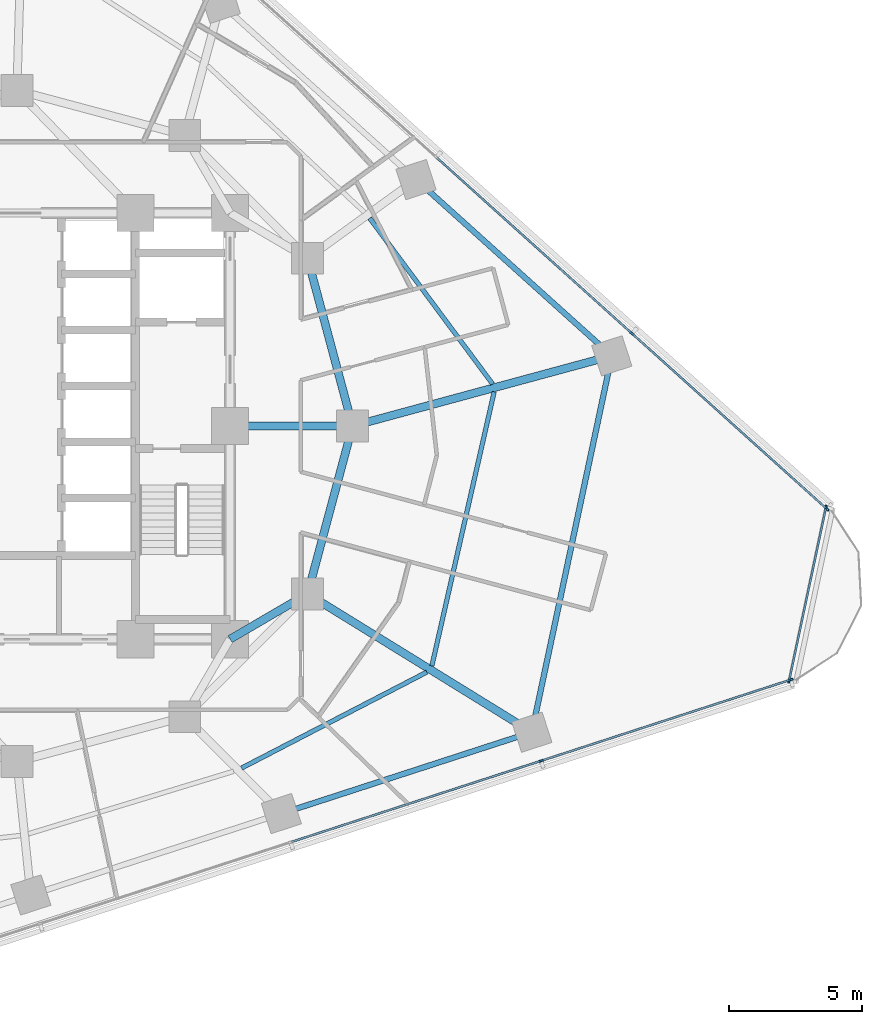
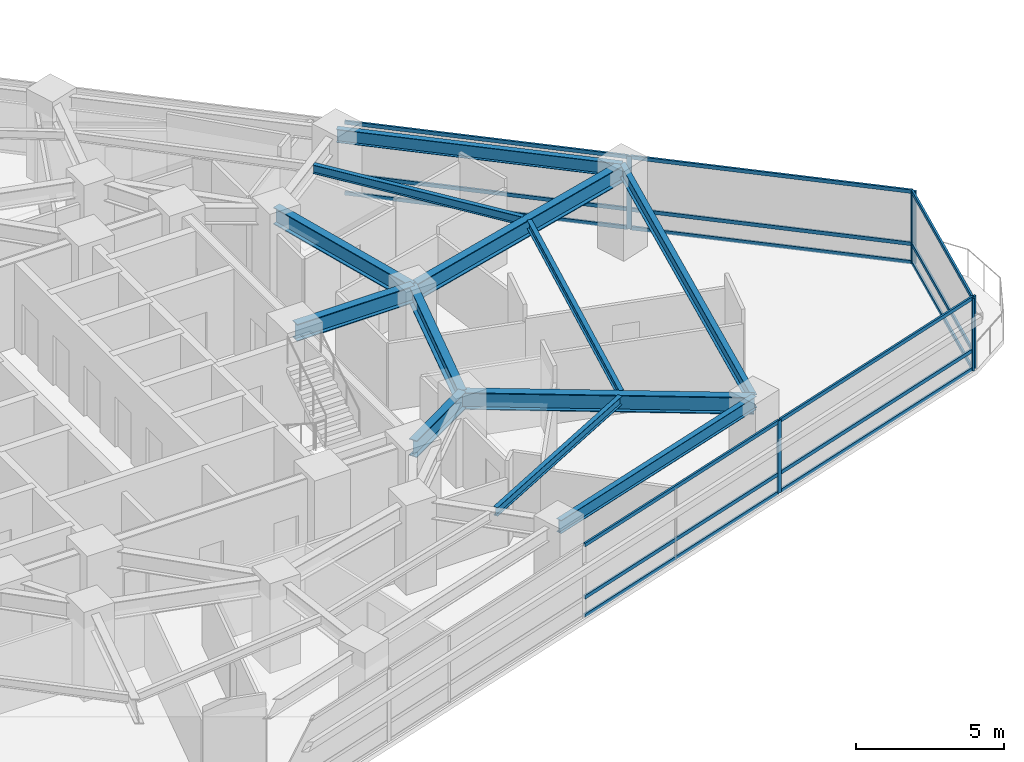
# One storey, part 4 of 13: 21 members, 12 beams, 3 elements without a shape of their own.
"""IFC4 building model written with IfcOpenShell, lengths in metres."""

from ifc_helpers import new_model, si_unit, direction, frame, origin, origin_2d, place, context, subcontext, project, spatial, rectangle, i_section, extrude, material, layer, layer_set, material_profile, profile_set, type_object, element, aggregate, save


model = new_model("IFC4")

# Units and contexts
model_context = context("Model", 3, precision=1e-05, world=origin(), true_north=direction((0.0, 1.0)))
body_context = subcontext(model_context, "Body", "Model", "MODEL_VIEW")
ifc_project = project(units=[si_unit("LENGTHUNIT", "METRE"), si_unit("AREAUNIT", "SQUARE_METRE"), si_unit("VOLUMEUNIT", "CUBIC_METRE"), si_unit("PLANEANGLEUNIT", "RADIAN"), si_unit("MASSUNIT", "GRAM", prefix="KILO")], contexts=[model_context])

# Site, building, storey
site_placement = place(None, origin())
site = spatial("IfcSite", under=ifc_project, at=site_placement, CompositionType="ELEMENT")
building_placement = place(site_placement, origin())
building = spatial("IfcBuilding", under=site, at=building_placement, Name="Terralouvre Media Tower", CompositionType="ELEMENT")
storey_placement = place(building_placement, frame((0.0, 0.0, 108.800048828125)))
storey = spatial("IfcBuildingStorey", under=building, at=storey_placement, Name="L27", CompositionType="ELEMENT", Elevation=108.800048828125)

# Beams
ifc_material_1 = material(Name="Structural steel S355J2", Category="steel")
ifc_material_profile_1 = material_profile(ifc_material_1, i_section(OverallWidth=0.169921875, OverallDepth=0.360107421875, WebThickness=0.008056640625, FlangeThickness=0.0126953125, at=origin_2d()), Name="IPE 360")
ifc_profile_set_1 = profile_set([ifc_material_profile_1], Name="Structural steel S355J2")
beam_type_1 = type_object("IfcBeamType", Name="Composite Floor Joist J-IPE360 (IPE 360)", PredefinedType="JOIST", material=ifc_profile_set_1)
beam_1_placement = place(storey_placement, frame((8.431640625, -12.83984375, 3.320068359375), z_axis=(0.88785826519, 0.460117051339, 0.0), x_axis=(-0.460117051339, 0.88785826519, 0.0)))
element("IfcBeam", 1, at=beam_1_placement, inside=storey, type_object=beam_type_1, Name="L27 Framing Beam JT-L27-05", PredefinedType="JOIST", context=body_context, shape_type="SweptSolid", body=[
    extrude(i_section(OverallWidth=0.169921875, OverallDepth=0.360107421875, WebThickness=0.008056640625, FlangeThickness=0.0126953125, at=origin_2d()), origin(), (0.0, 0.0, 1.0), 7.8349609375),
])
beam_2_placement = place(storey_placement, frame((15.576171875, -9.002685546875, 3.320068359375), z_axis=(0.221710109681, 0.975112622862, 0.0), x_axis=(-0.975112622862, 0.221710109681, 0.0)))
element("IfcBeam", 2, at=beam_2_placement, inside=storey, type_object=beam_type_1, Name="L27 Framing Beam JT-L27-06", PredefinedType="JOIST", context=body_context, shape_type="SweptSolid", body=[
    extrude(i_section(OverallWidth=0.169921875, OverallDepth=0.360107421875, WebThickness=0.008056640625, FlangeThickness=0.0126953125, at=origin_2d()), origin(), (0.0, 0.0, 1.0), 10.551513671875),
])
beam_3_placement = place(storey_placement, frame((17.85791015625, 1.57763671875, 3.320068359375), z_axis=(-0.595682426609, 0.803220048697, 0.0), x_axis=(-0.803220048697, -0.595682426609, 0.0)))
element("IfcBeam", 3, at=beam_3_placement, inside=storey, type_object=beam_type_1, Name="L27 Framing Beam JT-L27-07", PredefinedType="JOIST", context=body_context, shape_type="SweptSolid", body=[
    extrude(i_section(OverallWidth=0.169921875, OverallDepth=0.360107421875, WebThickness=0.008056640625, FlangeThickness=0.0126953125, at=origin_2d()), origin(), (0.0, 0.0, 1.0), 7.7509765625),
])

# Curtain wall, members
ifc_material_2 = material(Name="Low-iron laminated double glazing with solar-control coating", Category="glass")
ifc_layer_1 = layer(ifc_material_2, 0.1650390625, Name="Lower Media Tower Unitised Curtain Wall CW-02")
ifc_layer_set_1 = layer_set([ifc_layer_1], Name="Low-iron laminated double glazing with solar-control coating")
curtain_wall_type_1 = type_object("IfcCurtainWallType", Name="Lower Media Tower Unitised Curtain Wall CW-02", PredefinedType="NOTDEFINED", material=ifc_layer_set_1)
curtain_wall_1_placement = place(storey_placement, origin())
curtain_wall_1 = element("IfcCurtainWall", 4, at=curtain_wall_1_placement, inside=storey, type_object=curtain_wall_type_1, Name="L27 Facade Curtain Wall F0", PredefinedType="NOTDEFINED")
ifc_material_3 = material(Name="Anodised extruded aluminium 6063-T6", Category="aluminium")
ifc_material_profile_2 = material_profile(ifc_material_3, rectangle(XDim=0.074951171875, YDim=0.14990234375, at=origin_2d()), Name="ALU 75x150")
ifc_profile_set_2 = profile_set([ifc_material_profile_2], Name="Anodised extruded aluminium 6063-T6")
member_type_1 = type_object("IfcMemberType", Name="Curtain-Wall Horizontal Transom TR-150", PredefinedType="USERDEFINED", material=ifc_profile_set_2)
member_1_placement = place(storey_placement, frame((10.309814453125, -15.610107421875, 0.037353515625), z_axis=(0.951061672682, 0.309001124198, 0.0), x_axis=(-0.309001124198, 0.951061672682, 0.0)))
member_1 = element("IfcMember", 5, at=member_1_placement, type_object=member_type_1, Name="CW-02 transom 4.1", ObjectType="TRANSOM", PredefinedType="USERDEFINED", context=body_context, shape_type="SweptSolid", body=[
    extrude(rectangle(XDim=0.074951171875, YDim=0.14990234375, at=origin_2d()), origin(), (0.0, 0.0, 1.0), 9.81298828125),
])
member_2_placement = place(storey_placement, frame((10.309814453125, -15.610107421875, 0.800048828125), z_axis=(0.951061672682, 0.309001124198, 0.0), x_axis=(-0.309001124198, 0.951061672682, 0.0)))
member_2 = element("IfcMember", 6, at=member_2_placement, type_object=member_type_1, Name="CW-02 transom 4.2", ObjectType="TRANSOM", PredefinedType="USERDEFINED", context=body_context, shape_type="SweptSolid", body=[
    extrude(rectangle(XDim=0.074951171875, YDim=0.14990234375, at=origin_2d()), origin(), (0.0, 0.0, 1.0), 9.81298828125),
])
member_3_placement = place(storey_placement, frame((10.309814453125, -15.610107421875, 2.96240234375), z_axis=(0.951061672682, 0.309001124198, 0.0), x_axis=(-0.309001124198, 0.951061672682, 0.0)))
member_3 = element("IfcMember", 7, at=member_3_placement, type_object=member_type_1, Name="CW-02 transom 4.3", ObjectType="TRANSOM", PredefinedType="USERDEFINED", context=body_context, shape_type="SweptSolid", body=[
    extrude(rectangle(XDim=0.074951171875, YDim=0.14990234375, at=origin_2d()), origin(), (0.0, 0.0, 1.0), 9.81298828125),
])
member_4_placement = place(storey_placement, frame((19.7138671875, -12.5546875, 0.037353515625), z_axis=(0.951058475667, 0.309010963983, 0.0), x_axis=(-0.309010963983, 0.951058475667, 0.0)))
member_4 = element("IfcMember", 8, at=member_4_placement, type_object=member_type_1, Name="CW-02 transom 5.1", ObjectType="TRANSOM", PredefinedType="USERDEFINED", context=body_context, shape_type="SweptSolid", body=[
    extrude(rectangle(XDim=0.074951171875, YDim=0.14990234375, at=origin_2d()), origin(), (0.0, 0.0, 1.0), 9.775634765625),
])
member_5_placement = place(storey_placement, frame((19.7138671875, -12.5546875, 0.800048828125), z_axis=(0.951058475667, 0.309010963983, 0.0), x_axis=(-0.309010963983, 0.951058475667, 0.0)))
member_5 = element("IfcMember", 9, at=member_5_placement, type_object=member_type_1, Name="CW-02 transom 5.2", ObjectType="TRANSOM", PredefinedType="USERDEFINED", context=body_context, shape_type="SweptSolid", body=[
    extrude(rectangle(XDim=0.074951171875, YDim=0.14990234375, at=origin_2d()), origin(), (0.0, 0.0, 1.0), 9.775634765625),
])
member_6_placement = place(storey_placement, frame((19.7138671875, -12.5546875, 2.96240234375), z_axis=(0.951058475667, 0.309010963983, 0.0), x_axis=(-0.309010963983, 0.951058475667, 0.0)))
member_6 = element("IfcMember", 10, at=member_6_placement, type_object=member_type_1, Name="CW-02 transom 5.3", ObjectType="TRANSOM", PredefinedType="USERDEFINED", context=body_context, shape_type="SweptSolid", body=[
    extrude(rectangle(XDim=0.074951171875, YDim=0.14990234375, at=origin_2d()), origin(), (0.0, 0.0, 1.0), 9.775634765625),
])

curtain_wall_2_placement = place(storey_placement, origin())
curtain_wall_2 = element("IfcCurtainWall", 11, at=curtain_wall_2_placement, inside=storey, type_object=curtain_wall_type_1, Name="L27 Facade Curtain Wall F1", PredefinedType="NOTDEFINED")
member_7_placement = place(storey_placement, frame((30.380615234375, -3.09033203125, 0.037353515625), z_axis=(-0.743137656594, 0.669138568125, 0.0), x_axis=(-0.669138568125, -0.743137656594, 0.0)))
member_7 = element("IfcMember", 12, at=member_7_placement, type_object=member_type_1, Name="CW-02 transom 1.1", ObjectType="TRANSOM", PredefinedType="USERDEFINED", context=body_context, shape_type="SweptSolid", body=[
    extrude(rectangle(XDim=0.074951171875, YDim=0.14990234375, at=origin_2d()), origin(), (0.0, 0.0, 1.0), 9.775634765625),
])
member_8_placement = place(storey_placement, frame((30.380615234375, -3.09033203125, 0.800048828125), z_axis=(-0.743137656594, 0.669138568125, 0.0), x_axis=(-0.669138568125, -0.743137656594, 0.0)))
member_8 = element("IfcMember", 13, at=member_8_placement, type_object=member_type_1, Name="CW-02 transom 1.2", ObjectType="TRANSOM", PredefinedType="USERDEFINED", context=body_context, shape_type="SweptSolid", body=[
    extrude(rectangle(XDim=0.074951171875, YDim=0.14990234375, at=origin_2d()), origin(), (0.0, 0.0, 1.0), 9.775634765625),
])
member_9_placement = place(storey_placement, frame((30.380615234375, -3.09033203125, 2.96240234375), z_axis=(-0.743137656594, 0.669138568125, 0.0), x_axis=(-0.669138568125, -0.743137656594, 0.0)))
member_9 = element("IfcMember", 14, at=member_9_placement, type_object=member_type_1, Name="CW-02 transom 1.3", ObjectType="TRANSOM", PredefinedType="USERDEFINED", context=body_context, shape_type="SweptSolid", body=[
    extrude(rectangle(XDim=0.074951171875, YDim=0.14990234375, at=origin_2d()), origin(), (0.0, 0.0, 1.0), 9.775634765625),
])
member_10_placement = place(storey_placement, frame((23.060302734375, 3.5009765625, 0.037353515625), z_axis=(-0.743145676677, 0.669129661005, 0.0), x_axis=(-0.669129661005, -0.743145676677, 0.0)))
member_10 = element("IfcMember", 15, at=member_10_placement, type_object=member_type_1, Name="CW-02 transom 2.1", ObjectType="TRANSOM", PredefinedType="USERDEFINED", context=body_context, shape_type="SweptSolid", body=[
    extrude(rectangle(XDim=0.074951171875, YDim=0.14990234375, at=origin_2d()), origin(), (0.0, 0.0, 1.0), 9.81298828125),
])
member_11_placement = place(storey_placement, frame((23.060302734375, 3.5009765625, 0.800048828125), z_axis=(-0.743145676677, 0.669129661005, 0.0), x_axis=(-0.669129661005, -0.743145676677, 0.0)))
member_11 = element("IfcMember", 16, at=member_11_placement, type_object=member_type_1, Name="CW-02 transom 2.2", ObjectType="TRANSOM", PredefinedType="USERDEFINED", context=body_context, shape_type="SweptSolid", body=[
    extrude(rectangle(XDim=0.074951171875, YDim=0.14990234375, at=origin_2d()), origin(), (0.0, 0.0, 1.0), 9.81298828125),
])
member_12_placement = place(storey_placement, frame((23.060302734375, 3.5009765625, 2.96240234375), z_axis=(-0.743145676677, 0.669129661005, 0.0), x_axis=(-0.669129661005, -0.743145676677, 0.0)))
member_12 = element("IfcMember", 17, at=member_12_placement, type_object=member_type_1, Name="CW-02 transom 2.3", ObjectType="TRANSOM", PredefinedType="USERDEFINED", context=body_context, shape_type="SweptSolid", body=[
    extrude(rectangle(XDim=0.074951171875, YDim=0.14990234375, at=origin_2d()), origin(), (0.0, 0.0, 1.0), 9.81298828125),
])

ifc_material_4 = material(Name="Low-iron laminated double glazing with solar-control coating", Category="glass")
ifc_layer_2 = layer(ifc_material_4, 0.1650390625, Name="Rounded Wind-Corner Curved Glazing CW-04")
ifc_layer_set_2 = layer_set([ifc_layer_2], Name="Low-iron laminated double glazing with solar-control coating")
curtain_wall_type_2 = type_object("IfcCurtainWallType", Name="Rounded Wind-Corner Curved Glazing CW-04", PredefinedType="NOTDEFINED", material=ifc_layer_set_2)
curtain_wall_3_placement = place(storey_placement, origin())
curtain_wall_3 = element("IfcCurtainWall", 18, at=curtain_wall_3_placement, inside=storey, type_object=curtain_wall_type_2, Name="L27 Rounded Wind-Corner Curtain Wall C1", PredefinedType="NOTDEFINED")
member_13_placement = place(storey_placement, frame((28.998046875, -9.522216796875, 0.037353515625), z_axis=(0.207899641228, 0.978150161876, 0.0), x_axis=(-0.978150161876, 0.207899641228, 0.0)))
member_13 = element("IfcMember", 19, at=member_13_placement, type_object=member_type_1, Name="CW-04 transom 1.1", ObjectType="TRANSOM", PredefinedType="USERDEFINED", context=body_context, shape_type="SweptSolid", body=[
    extrude(rectangle(XDim=0.074951171875, YDim=0.14990234375, at=origin_2d()), origin(), (0.0, 0.0, 1.0), 6.5703125),
])
member_14_placement = place(storey_placement, frame((28.998046875, -9.522216796875, 0.800048828125), z_axis=(0.207899641228, 0.978150161876, 0.0), x_axis=(-0.978150161876, 0.207899641228, 0.0)))
member_14 = element("IfcMember", 20, at=member_14_placement, type_object=member_type_1, Name="CW-04 transom 1.2", ObjectType="TRANSOM", PredefinedType="USERDEFINED", context=body_context, shape_type="SweptSolid", body=[
    extrude(rectangle(XDim=0.074951171875, YDim=0.14990234375, at=origin_2d()), origin(), (0.0, 0.0, 1.0), 6.5703125),
])
member_15_placement = place(storey_placement, frame((28.998046875, -9.522216796875, 2.96240234375), z_axis=(0.207899641228, 0.978150161876, 0.0), x_axis=(-0.978150161876, 0.207899641228, 0.0)))
member_15 = element("IfcMember", 21, at=member_15_placement, type_object=member_type_1, Name="CW-04 transom 1.3", ObjectType="TRANSOM", PredefinedType="USERDEFINED", context=body_context, shape_type="SweptSolid", body=[
    extrude(rectangle(XDim=0.074951171875, YDim=0.14990234375, at=origin_2d()), origin(), (0.0, 0.0, 1.0), 6.5703125),
])

# Member
ifc_material_5 = material(Name="Anodised extruded aluminium 6063-T6", Category="aluminium")
ifc_material_profile_3 = material_profile(ifc_material_5, rectangle(XDim=0.074951171875, YDim=0.179931640625, at=origin_2d()), Name="ALU 75x180")
ifc_profile_set_3 = profile_set([ifc_material_profile_3], Name="Anodised extruded aluminium 6063-T6")
member_type_2 = type_object("IfcMemberType", Name="Curtain-Wall Vertical Mullion ML-180", PredefinedType="MULLION", material=ifc_profile_set_3)
member_16_placement = place(storey_placement, frame((19.67822265625, -12.566162109375, 0.0), z_axis=(0.0, 0.0, 1.0), x_axis=(-0.309017015439, 0.951056509451, 0.0)))
member_16 = element("IfcMember", 22, at=member_16_placement, type_object=member_type_2, Name="CW-02 mullion 5", PredefinedType="MULLION", context=body_context, shape_type="SweptSolid", body=[
    extrude(rectangle(XDim=0.074951171875, YDim=0.179931640625, at=origin_2d()), origin(), (0.0, 0.0, 1.0), 3.0),
])

member_17_placement = place(storey_placement, frame((29.046630859375, -9.522216796875, 0.0), z_axis=(0.0, 0.0, 1.0), x_axis=(-0.309017015439, 0.951056509451, 0.0)))
member_17 = element("IfcMember", 23, at=member_17_placement, type_object=member_type_2, Name="CW-02 mullion 6", PredefinedType="MULLION", context=body_context, shape_type="SweptSolid", body=[
    extrude(rectangle(XDim=0.074951171875, YDim=0.179931640625, at=origin_2d()), origin(), (0.0, 0.0, 1.0), 3.0),
])

aggregate(curtain_wall_1, [member_16, member_17, member_1, member_2, member_3, member_4, member_5, member_6])

member_18_placement = place(storey_placement, frame((30.408447265625, -3.115478515625, 0.0), z_axis=(0.0, 0.0, 1.0), x_axis=(-0.669130639602, -0.743144795545, 0.0)))
member_18 = element("IfcMember", 24, at=member_18_placement, type_object=member_type_2, Name="CW-02 mullion 1", PredefinedType="MULLION", context=body_context, shape_type="SweptSolid", body=[
    extrude(rectangle(XDim=0.074951171875, YDim=0.179931640625, at=origin_2d()), origin(), (0.0, 0.0, 1.0), 3.0),
])

member_19_placement = place(storey_placement, frame((23.088134765625, 3.475830078125, 0.0), z_axis=(0.0, 0.0, 1.0), x_axis=(-0.669130639602, -0.743144795545, 0.0)))
member_19 = element("IfcMember", 25, at=member_19_placement, type_object=member_type_2, Name="CW-02 mullion 2", PredefinedType="MULLION", context=body_context, shape_type="SweptSolid", body=[
    extrude(rectangle(XDim=0.074951171875, YDim=0.179931640625, at=origin_2d()), origin(), (0.0, 0.0, 1.0), 3.0),
])

aggregate(curtain_wall_2, [member_18, member_19, member_7, member_8, member_9, member_10, member_11, member_12])

member_20_placement = place(storey_placement, frame((28.990234375, -9.55908203125, 0.0), z_axis=(0.0, 0.0, 1.0), x_axis=(-0.978147617626, 0.207911611348, 0.0)))
member_20 = element("IfcMember", 26, at=member_20_placement, type_object=member_type_2, Name="CW-04 mullion 1", PredefinedType="MULLION", context=body_context, shape_type="SweptSolid", body=[
    extrude(rectangle(XDim=0.074951171875, YDim=0.179931640625, at=origin_2d()), origin(), (0.0, 0.0, 1.0), 3.0),
])

member_21_placement = place(storey_placement, frame((30.371826171875, -3.058837890625, 0.0), z_axis=(0.0, 0.0, 1.0), x_axis=(-0.978147617626, 0.207911611348, 0.0)))
member_21 = element("IfcMember", 27, at=member_21_placement, type_object=member_type_2, Name="CW-04 mullion 2", PredefinedType="MULLION", context=body_context, shape_type="SweptSolid", body=[
    extrude(rectangle(XDim=0.074951171875, YDim=0.179931640625, at=origin_2d()), origin(), (0.0, 0.0, 1.0), 3.0),
])

aggregate(curtain_wall_3, [member_20, member_21, member_13, member_14, member_15])

# Beams
ifc_material_6 = material(Name="Structural steel S355J2", Category="steel")
ifc_material_profile_4 = material_profile(ifc_material_6, i_section(OverallWidth=0.2099609375, OverallDepth=0.550048828125, WebThickness=0.010986328125, FlangeThickness=0.01708984375, at=origin_2d()), Name="IPE 550")
ifc_profile_set_4 = profile_set([ifc_material_profile_4], Name="Structural steel S355J2")
beam_type_2 = type_object("IfcBeamType", Name="Perimeter Spandrel Beam SPB-550 (IPE 550)", PredefinedType="SPANDREL", material=ifc_profile_set_4)
beam_4_placement = place(storey_placement, frame((9.925048828125, -14.547119140625, 3.224853515625), z_axis=(0.95105348149, 0.309026334389, 0.0), x_axis=(-0.309026334389, 0.95105348149, 0.0)))
element("IfcBeam", 28, at=beam_4_placement, inside=storey, type_object=beam_type_2, Name="L27 Framing Beam BM-L27-PR05", PredefinedType="SPANDREL", context=body_context, shape_type="SweptSolid", body=[
    extrude(i_section(OverallWidth=0.2099609375, OverallDepth=0.550048828125, WebThickness=0.010986328125, FlangeThickness=0.01708984375, at=origin_2d()), origin(), (0.0, 0.0, 1.0), 9.887939453125),
])
beam_5_placement = place(storey_placement, frame((19.3291015625, -11.491455078125, 3.224853515625), z_axis=(0.207911520129, 0.978147637015, 0.0), x_axis=(-0.978147637015, 0.207911520129, 0.0)))
element("IfcBeam", 29, at=beam_5_placement, inside=storey, type_object=beam_type_2, Name="L27 Framing Beam BM-L27-PR06", PredefinedType="SPANDREL", context=body_context, shape_type="SweptSolid", body=[
    extrude(i_section(OverallWidth=0.2099609375, OverallDepth=0.550048828125, WebThickness=0.010986328125, FlangeThickness=0.01708984375, at=origin_2d()), origin(), (0.0, 0.0, 1.0), 14.443359375),
])
beam_6_placement = place(storey_placement, frame((22.33203125, 2.63623046875, 3.224853515625), z_axis=(-0.743149256852, 0.669125684786, 0.0), x_axis=(-0.669125684786, -0.743149256852, 0.0)))
element("IfcBeam", 30, at=beam_6_placement, inside=storey, type_object=beam_type_2, Name="L27 Framing Beam BM-L27-PR07", PredefinedType="SPANDREL", context=body_context, shape_type="SweptSolid", body=[
    extrude(i_section(OverallWidth=0.2099609375, OverallDepth=0.550048828125, WebThickness=0.010986328125, FlangeThickness=0.01708984375, at=origin_2d()), origin(), (0.0, 0.0, 1.0), 9.887939453125),
])
ifc_material_7 = material(Name="Structural steel S460M", Category="steel")
ifc_material_profile_5 = material_profile(ifc_material_7, i_section(OverallWidth=0.300048828125, OverallDepth=0.699951171875, WebThickness=0.01708984375, FlangeThickness=0.031982421875, at=origin_2d()), Name="HEB 700")
ifc_profile_set_5 = profile_set([ifc_material_profile_5], Name="Structural steel S460M")
beam_type_3 = type_object("IfcBeamType", Name="Primary Floor Girder B-HEB700 (HEB 700)", PredefinedType="BEAM", material=ifc_profile_set_5)
for number, where, z_axis, x_axis, name in (
    (31, (10.911865234375, -6.300048828125, 3.14990234375), (0.258838989821, 0.965920481897, 0.0), (-0.965920481897, 0.258838989821, 0.0), "L27 Framing Beam BM-L27-MR05"),
    (32, (12.60009765625, 0.0, 3.14990234375), (-0.258838989821, 0.965920481897, 0.0), (-0.965920481897, -0.258838989821, 0.0), "L27 Framing Beam BM-L27-MR06"),
):
    element("IfcBeam", number, at=place(storey_placement, frame(where, z_axis=z_axis, x_axis=x_axis)), inside=storey, type_object=beam_type_3, Name=name, PredefinedType="BEAM", context=body_context, shape_type="SweptSolid", body=[
        extrude(i_section(OverallWidth=0.300048828125, OverallDepth=0.699951171875, WebThickness=0.01708984375, FlangeThickness=0.031982421875, at=origin_2d()), origin(), (0.0, 0.0, 1.0), 6.522216796875),
    ])
beam_7_placement = place(storey_placement, frame((8.0, -8.0, 3.14990234375), z_axis=(0.863602894532, 0.504172629717, 0.0), x_axis=(-0.504172629717, 0.863602894532, 0.0)))
element("IfcBeam", 33, at=beam_7_placement, inside=storey, type_object=beam_type_3, Name="L27 Framing Beam BM-L27-CM05", PredefinedType="BEAM", context=body_context, shape_type="SweptSolid", body=[
    extrude(i_section(OverallWidth=0.300048828125, OverallDepth=0.699951171875, WebThickness=0.01708984375, FlangeThickness=0.031982421875, at=origin_2d()), origin(), (0.0, 0.0, 1.0), 3.371826171875),
])
beam_8_placement = place(storey_placement, frame((8.0, 0.0, 3.14990234375), z_axis=(1.0, 0.0, 0.0), x_axis=(0.0, 1.0, 0.0)))
element("IfcBeam", 34, at=beam_8_placement, inside=storey, type_object=beam_type_3, Name="L27 Framing Beam BM-L27-CM06", PredefinedType="BEAM", context=body_context, shape_type="SweptSolid", body=[
    extrude(i_section(OverallWidth=0.300048828125, OverallDepth=0.699951171875, WebThickness=0.01708984375, FlangeThickness=0.031982421875, at=origin_2d()), origin(), (0.0, 0.0, 1.0), 4.60009765625),
])
beam_9_placement = place(storey_placement, frame((10.911865234375, -6.300048828125, 3.14990234375), z_axis=(0.851135757445, -0.524945637565, 0.0), x_axis=(0.524945637565, 0.851135757445, 0.0)))
element("IfcBeam", 35, at=beam_9_placement, inside=storey, type_object=beam_type_3, Name="L27 Framing Beam BM-L27-RD06", PredefinedType="BEAM", context=body_context, shape_type="SweptSolid", body=[
    extrude(i_section(OverallWidth=0.300048828125, OverallDepth=0.699951171875, WebThickness=0.01708984375, FlangeThickness=0.031982421875, at=origin_2d()), origin(), (0.0, 0.0, 1.0), 9.889404296875),
])
beam_10_placement = place(storey_placement, frame((12.60009765625, 0.0, 3.14990234375), z_axis=(0.965213896705, 0.261461533707, 0.0), x_axis=(-0.261461533707, 0.965213896705, 0.0)))
element("IfcBeam", 36, at=beam_10_placement, inside=storey, type_object=beam_type_3, Name="L27 Framing Beam BM-L27-RD07", PredefinedType="BEAM", context=body_context, shape_type="SweptSolid", body=[
    extrude(i_section(OverallWidth=0.300048828125, OverallDepth=0.699951171875, WebThickness=0.01708984375, FlangeThickness=0.031982421875, at=origin_2d()), origin(), (0.0, 0.0, 1.0), 10.082763671875),
])

save(model, "model.ifc")
